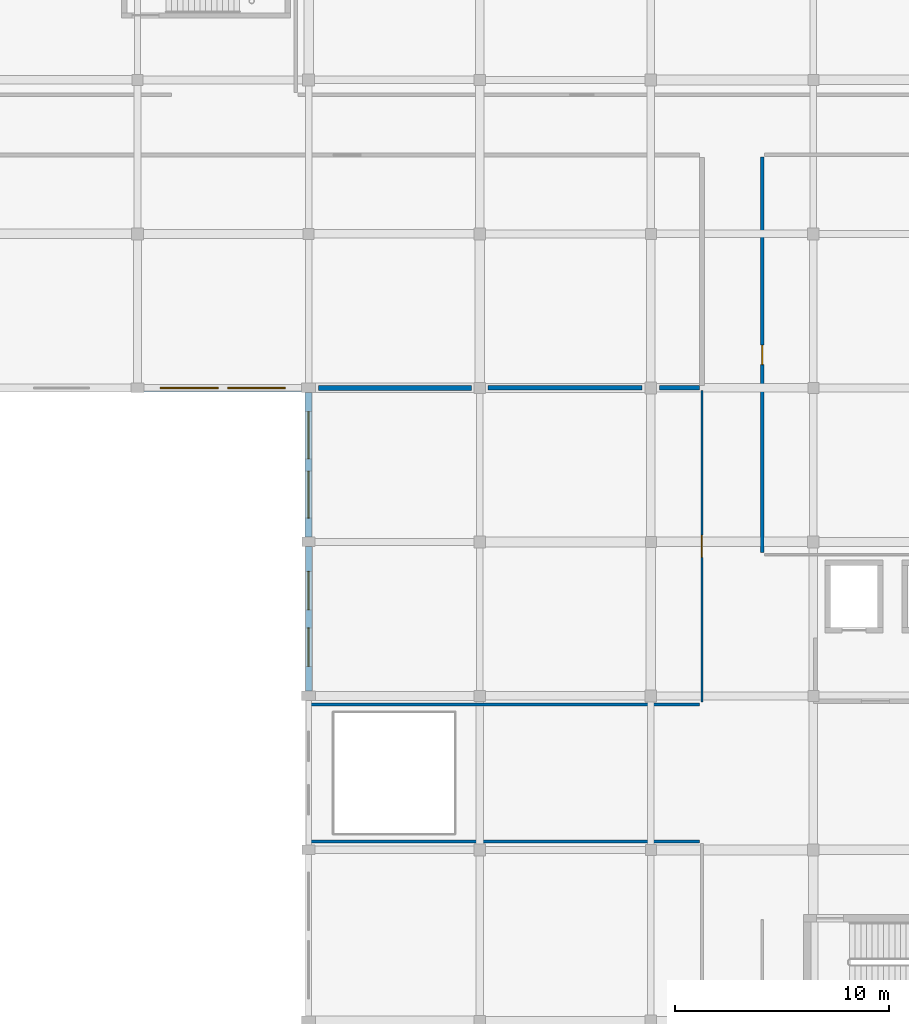
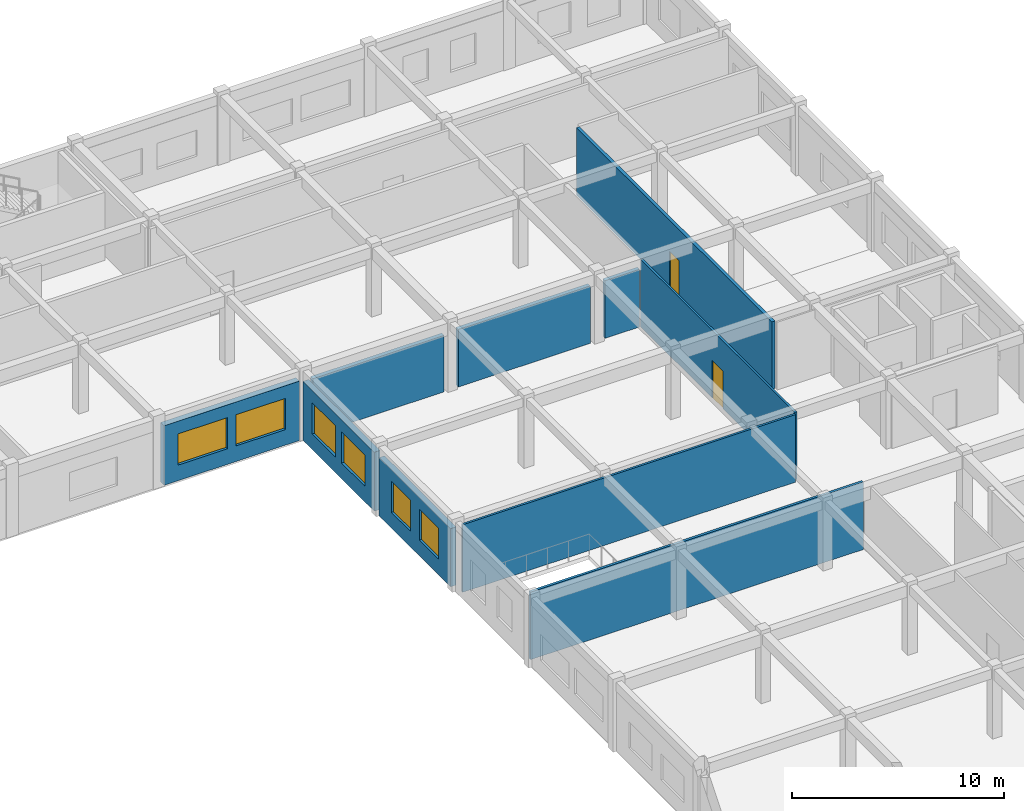
# One storey, part 11 of 19: 10 walls, 6 windows, 2 doors, 8 openings.
"""IFC4 building model written with IfcOpenShell, lengths in metres."""

from ifc_helpers import new_model, si_unit, direction, frame, frame_2d, origin, place, context, subcontext, project, spatial, rectangle, extrude, material, layer, layer_set, type_object, element, fill, save


model = new_model("IFC4")

# Units and contexts
model_context = context("Model", 3, precision=1e-05, world=origin(), true_north=direction((0.0, 1.0)))
body_context = subcontext(model_context, "Body", "Model", "MODEL_VIEW")
ifc_project = project(units=[si_unit("LENGTHUNIT", "METRE"), si_unit("AREAUNIT", "SQUARE_METRE"), si_unit("VOLUMEUNIT", "CUBIC_METRE"), si_unit("PLANEANGLEUNIT", "RADIAN"), si_unit("MASSUNIT", "GRAM", prefix="KILO")], contexts=[model_context])

# Site, building, storey
site_placement = place(None, origin())
site = spatial("IfcSite", under=ifc_project, at=site_placement, CompositionType="ELEMENT")
building_placement = place(site_placement, origin())
building = spatial("IfcBuilding", under=site, at=building_placement, Name="Kharva Crest Polytechnic", CompositionType="ELEMENT")
storey_placement = place(building_placement, frame((0.0, 0.0, 21.60009765625)))
storey = spatial("IfcBuildingStorey", under=building, at=storey_placement, Name="L05", CompositionType="ELEMENT", Elevation=21.60009765625)

# Wall, openings, windows
ifc_material_1 = material(Name="Kiln brick masonry", Category="masonry")
ifc_layer_1 = layer(ifc_material_1, 0.304931640625, Name="Kiln brick masonry")
ifc_layer_set_1 = layer_set([ifc_layer_1], Name="Kiln brick masonry")
wall_type_1 = type_object("IfcWallType", Name="WL-EXT-BRK-305", PredefinedType="SOLIDWALL", material=ifc_layer_set_1)
wall_1_placement = place(storey_placement, frame((152.800048828125, 92.97998046875, 0.0), z_axis=(0.0, 0.0, 1.0), x_axis=(0.0, -1.0, 0.0)))
wall_1 = element("IfcWall", 1, at=wall_1_placement, inside=storey, type_object=wall_type_1, Name="L05 Exterior Brick Wall 455", PredefinedType="SOLIDWALL", context=body_context, shape_type="SweptSolid", body=[
    extrude(rectangle(XDim=6.760009765625, YDim=0.304931640625, at=frame_2d((3.3798828125, 0.0))), origin(), (0.0, 0.0, 1.0), 3.35986328125),
])
opening_1_placement = place(wall_1_placement, frame((1.159912109375, 0.0, 0.89990234375)))
opening_1 = element("IfcOpeningElement", 2, at=opening_1_placement, cuts=wall_1, Name="Opening W05", PredefinedType="OPENING", context=body_context, shape_type="SweptSolid", body=[
    extrude(rectangle(XDim=1.800048828125, YDim=1.800048828125, at=frame_2d((0.89990234375, 0.89990234375))), frame((0.0, 0.162353515625, 0.0), z_axis=(0.0, -1.0, 0.0), x_axis=(1.0, 0.0, 0.0)), (0.0, 0.0, 1.0), 0.324951171875),
])
opening_2_placement = place(wall_1_placement, frame((3.800048828125, 0.0, 0.89990234375)))
opening_2 = element("IfcOpeningElement", 3, at=opening_2_placement, cuts=wall_1, Name="Opening W05", PredefinedType="OPENING", context=body_context, shape_type="SweptSolid", body=[
    extrude(rectangle(XDim=1.800048828125, YDim=1.800048828125, at=frame_2d((0.89990234375, 0.89990234375))), frame((0.0, 0.162353515625, 0.0), z_axis=(0.0, -1.0, 0.0), x_axis=(1.0, 0.0, 0.0)), (0.0, 0.0, 1.0), 0.324951171875),
])
ifc_material_2 = material(Name="Anodised aluminium", Category="aluminium")
window_type_1 = type_object("IfcWindowType", Name="WIN-ALU-1800X1800", PartitioningType="SINGLE_PANEL", PredefinedType="WINDOW", material=ifc_material_2)
window_1_placement = place(opening_1_placement, origin())
window_1 = element("IfcWindow", 4, at=window_1_placement, inside=storey, type_object=window_type_1, Name="L05 Exterior Window 647", OverallHeight=1.800048828125, OverallWidth=1.800048828125, PartitioningType="SINGLE_PANEL", PredefinedType="WINDOW", context=body_context, shape_type="SweptSolid", body=[
    extrude(rectangle(XDim=1.800048828125, YDim=1.800048828125, at=frame_2d((0.89990234375, 0.89990234375))), frame((0.0, 0.030029296875, 0.0), z_axis=(0.0, -1.0, 0.0), x_axis=(1.0, 0.0, 0.0)), (0.0, 0.0, 1.0), 0.06005859375),
])
fill(opening_1, window_1)
window_2_placement = place(opening_2_placement, origin())
window_2 = element("IfcWindow", 5, at=window_2_placement, inside=storey, type_object=window_type_1, Name="L05 Exterior Window 648", OverallHeight=1.800048828125, OverallWidth=1.800048828125, PartitioningType="SINGLE_PANEL", PredefinedType="WINDOW", context=body_context, shape_type="SweptSolid", body=[
    extrude(rectangle(XDim=1.800048828125, YDim=1.800048828125, at=frame_2d((0.89990234375, 0.89990234375))), frame((0.0, 0.030029296875, 0.0), z_axis=(0.0, -1.0, 0.0), x_axis=(1.0, 0.0, 0.0)), (0.0, 0.0, 1.0), 0.06005859375),
])
fill(opening_2, window_2)

ifc_layer_2 = layer(ifc_material_1, 0.320068359375, Name="Kiln brick masonry")
ifc_layer_set_2 = layer_set([ifc_layer_2], Name="Kiln brick masonry")
wall_type_2 = type_object("IfcWallType", Name="WL-EXT-BRK-320", PredefinedType="SOLIDWALL", material=ifc_layer_set_2)
wall_2_placement = place(storey_placement, frame((152.800048828125, 100.179931640625, 0.0), z_axis=(0.0, 0.0, 1.0), x_axis=(0.0, -1.0, 0.0)))
wall_2 = element("IfcWall", 6, at=wall_2_placement, inside=storey, type_object=wall_type_2, Name="L05 Exterior Brick Wall 454", PredefinedType="SOLIDWALL", context=body_context, shape_type="SweptSolid", body=[
    extrude(rectangle(XDim=6.760009765625, YDim=0.320068359375, at=frame_2d((3.3798828125, 0.0))), origin(), (0.0, 0.0, 1.0), 3.39990234375),
])
opening_3_placement = place(wall_2_placement, frame((0.89306640625, 0.0, 0.89990234375)))
opening_3 = element("IfcOpeningElement", 7, at=opening_3_placement, cuts=wall_2, Name="Opening W03", PredefinedType="OPENING", context=body_context, shape_type="SweptSolid", body=[
    extrude(rectangle(XDim=2.199951171875, YDim=1.800048828125, at=frame_2d((1.10009765625, 0.89990234375))), frame((0.0, 0.169921875, 0.0), z_axis=(0.0, -1.0, 0.0), x_axis=(1.0, 0.0, 0.0)), (0.0, 0.0, 1.0), 0.340087890625),
])
opening_4_placement = place(wall_2_placement, frame((3.6669921875, 0.0, 0.89990234375)))
opening_4 = element("IfcOpeningElement", 8, at=opening_4_placement, cuts=wall_2, Name="Opening W03", PredefinedType="OPENING", context=body_context, shape_type="SweptSolid", body=[
    extrude(rectangle(XDim=2.199951171875, YDim=1.800048828125, at=frame_2d((1.10009765625, 0.89990234375))), frame((0.0, 0.169921875, 0.0), z_axis=(0.0, -1.0, 0.0), x_axis=(1.0, 0.0, 0.0)), (0.0, 0.0, 1.0), 0.340087890625),
])
window_type_2 = type_object("IfcWindowType", Name="WIN-ALU-2200X1800", PartitioningType="SINGLE_PANEL", PredefinedType="WINDOW", material=ifc_material_2)
window_3_placement = place(opening_3_placement, origin())
window_3 = element("IfcWindow", 9, at=window_3_placement, inside=storey, type_object=window_type_2, Name="L05 Exterior Window 645", OverallHeight=1.800048828125, OverallWidth=2.199951171875, PartitioningType="SINGLE_PANEL", PredefinedType="WINDOW", context=body_context, shape_type="SweptSolid", body=[
    extrude(rectangle(XDim=2.199951171875, YDim=1.800048828125, at=frame_2d((1.10009765625, 0.89990234375))), frame((0.0, 0.030029296875, 0.0), z_axis=(0.0, -1.0, 0.0), x_axis=(1.0, 0.0, 0.0)), (0.0, 0.0, 1.0), 0.06005859375),
])
fill(opening_3, window_3)
window_4_placement = place(opening_4_placement, origin())
window_4 = element("IfcWindow", 10, at=window_4_placement, inside=storey, type_object=window_type_2, Name="L05 Exterior Window 646", OverallHeight=1.800048828125, OverallWidth=2.199951171875, PartitioningType="SINGLE_PANEL", PredefinedType="WINDOW", context=body_context, shape_type="SweptSolid", body=[
    extrude(rectangle(XDim=2.199951171875, YDim=1.800048828125, at=frame_2d((1.10009765625, 0.89990234375))), frame((0.0, 0.030029296875, 0.0), z_axis=(0.0, -1.0, 0.0), x_axis=(1.0, 0.0, 0.0)), (0.0, 0.0, 1.0), 0.06005859375),
])
fill(opening_4, window_4)

ifc_layer_3 = layer(ifc_material_1, 0.3349609375, Name="Kiln brick masonry")
ifc_layer_set_3 = layer_set([ifc_layer_3], Name="Kiln brick masonry")
wall_type_3 = type_object("IfcWallType", Name="WL-EXT-BRK-335", PredefinedType="SOLIDWALL", material=ifc_layer_set_3)
wall_3_placement = place(storey_placement, frame((145.10498046875, 100.39990234375, 0.0), z_axis=(0.0, 0.0, 1.0), x_axis=(1.0, 0.0, 0.0)))
wall_3 = element("IfcWall", 11, at=wall_3_placement, inside=storey, type_object=wall_type_3, Name="L05 Exterior Brick Wall 453", PredefinedType="SOLIDWALL", context=body_context, shape_type="SweptSolid", body=[
    extrude(rectangle(XDim=7.375, YDim=0.3349609375, at=frame_2d((3.6875, 0.0))), origin(), (0.0, 0.0, 1.0), 3.429931640625),
])
opening_5_placement = place(wall_3_placement, frame((0.764892578125, 0.0, 0.89990234375)))
opening_5 = element("IfcOpeningElement", 12, at=opening_5_placement, cuts=wall_3, Name="Opening W01", PredefinedType="OPENING", context=body_context, shape_type="SweptSolid", body=[
    extrude(rectangle(XDim=2.699951171875, YDim=1.800048828125, at=frame_2d((1.35009765625, 0.89990234375))), frame((0.0, 0.177490234375, 0.0), z_axis=(0.0, -1.0, 0.0), x_axis=(1.0, 0.0, 0.0)), (0.0, 0.0, 1.0), 0.35498046875),
])
opening_6_placement = place(wall_3_placement, frame((3.909912109375, 0.0, 0.89990234375)))
opening_6 = element("IfcOpeningElement", 13, at=opening_6_placement, cuts=wall_3, Name="Opening W01", PredefinedType="OPENING", context=body_context, shape_type="SweptSolid", body=[
    extrude(rectangle(XDim=2.699951171875, YDim=1.800048828125, at=frame_2d((1.35009765625, 0.89990234375))), frame((0.0, 0.177490234375, 0.0), z_axis=(0.0, -1.0, 0.0), x_axis=(1.0, 0.0, 0.0)), (0.0, 0.0, 1.0), 0.35498046875),
])
window_type_3 = type_object("IfcWindowType", Name="WIN-ALU-2700X1800", PartitioningType="SINGLE_PANEL", PredefinedType="WINDOW", material=ifc_material_2)
window_5_placement = place(opening_5_placement, origin())
window_5 = element("IfcWindow", 14, at=window_5_placement, inside=storey, type_object=window_type_3, Name="L05 Exterior Window 643", OverallHeight=1.800048828125, OverallWidth=2.699951171875, PartitioningType="SINGLE_PANEL", PredefinedType="WINDOW", context=body_context, shape_type="SweptSolid", body=[
    extrude(rectangle(XDim=2.699951171875, YDim=1.800048828125, at=frame_2d((1.35009765625, 0.89990234375))), frame((0.0, 0.030029296875, 0.0), z_axis=(0.0, -1.0, 0.0), x_axis=(1.0, 0.0, 0.0)), (0.0, 0.0, 1.0), 0.06005859375),
])
fill(opening_5, window_5)
window_6_placement = place(opening_6_placement, origin())
window_6 = element("IfcWindow", 15, at=window_6_placement, inside=storey, type_object=window_type_3, Name="L05 Exterior Window 644", OverallHeight=1.800048828125, OverallWidth=2.699951171875, PartitioningType="SINGLE_PANEL", PredefinedType="WINDOW", context=body_context, shape_type="SweptSolid", body=[
    extrude(rectangle(XDim=2.699951171875, YDim=1.800048828125, at=frame_2d((1.35009765625, 0.89990234375))), frame((0.0, 0.030029296875, 0.0), z_axis=(0.0, -1.0, 0.0), x_axis=(1.0, 0.0, 0.0)), (0.0, 0.0, 1.0), 0.06005859375),
])
fill(opening_6, window_6)

# Wall, opening, door
ifc_layer_4 = layer(ifc_material_1, 0.110107421875, Name="Kiln brick masonry")
ifc_layer_set_4 = layer_set([ifc_layer_4], Name="Kiln brick masonry")
wall_type_4 = type_object("IfcWallType", Name="WL-PART-110", PredefinedType="PARTITIONING", material=ifc_layer_set_4)
wall_4_placement = place(storey_placement, frame((171.18994140625, 85.7099609375, 0.0), z_axis=(0.0, 0.0, 1.0), x_axis=(0.0, 1.0, 0.0)))
wall_4 = element("IfcWall", 16, at=wall_4_placement, inside=storey, type_object=wall_type_4, Name="L05 Interior Partition 387", PredefinedType="PARTITIONING", context=body_context, shape_type="SweptSolid", body=[
    extrude(rectangle(XDim=14.570068359375, YDim=0.110107421875, at=frame_2d((7.28515625, 0.0))), origin(), (0.0, 0.0, 1.0), 3.89990234375),
])
opening_7_placement = place(wall_4_placement, frame((6.764892578125, 0.0, 0.0)))
opening_7 = element("IfcOpeningElement", 17, at=opening_7_placement, cuts=wall_4, Name="Opening ID11", PredefinedType="OPENING", context=body_context, shape_type="SweptSolid", body=[
    extrude(rectangle(XDim=1.0400390625, YDim=2.14990234375, at=frame_2d((0.52001953125, 1.074951171875))), frame((0.0, 0.06494140625, 0.0), z_axis=(0.0, -1.0, 0.0), x_axis=(1.0, 0.0, 0.0)), (0.0, 0.0, 1.0), 0.130126953125),
])
ifc_material_3 = material(Name="Teak timber", Category="wood")
door_type_1 = type_object("IfcDoorType", Name="DR-CLS-1040X2150", OperationType="NOTDEFINED", PredefinedType="DOOR", material=ifc_material_3)
door_1_placement = place(opening_7_placement, origin())
door_1 = element("IfcDoor", 18, at=door_1_placement, inside=storey, type_object=door_type_1, Name="L05 Acoustic Testing Seminar Room Door", OperationType="SINGLE_SWING_LEFT", OverallHeight=2.14990234375, OverallWidth=1.0400390625, PredefinedType="DOOR", context=body_context, shape_type="SweptSolid", body=[
    extrude(rectangle(XDim=1.0400390625, YDim=2.14990234375, at=frame_2d((0.52001953125, 1.074951171875))), frame((0.0, 0.02490234375, 0.0), z_axis=(0.0, -1.0, 0.0), x_axis=(1.0, 0.0, 0.0)), (0.0, 0.0, 1.0), 0.050048828125),
])
fill(opening_7, door_1)

# Walls
ifc_layer_5 = layer(ifc_material_1, 0.1201171875, Name="Kiln brick masonry")
ifc_layer_set_5 = layer_set([ifc_layer_5], Name="Kiln brick masonry")
wall_type_5 = type_object("IfcWallType", Name="WL-PART-120", PredefinedType="PARTITIONING", material=ifc_layer_set_5)
wall_5_placement = place(storey_placement, frame((152.909912109375, 85.60009765625, 0.0), z_axis=(0.0, 0.0, 1.0), x_axis=(1.0, 0.0, 0.0)))
element("IfcWall", 19, at=wall_5_placement, inside=storey, type_object=wall_type_5, Name="L05 Interior Partition 386", PredefinedType="PARTITIONING", context=body_context, shape_type="SweptSolid", body=[
    extrude(rectangle(XDim=18.170166015625, YDim=0.1201171875, at=frame_2d((9.0849609375, 0.0))), origin(), (0.0, 0.0, 1.0), 3.89990234375),
])
ifc_layer_6 = layer(ifc_material_1, 0.139892578125, Name="Kiln brick masonry")
ifc_layer_set_6 = layer_set([ifc_layer_6], Name="Kiln brick masonry")
wall_type_6 = type_object("IfcWallType", Name="WL-PART-140", PredefinedType="PARTITIONING", material=ifc_layer_set_6)
wall_6_placement = place(storey_placement, frame((152.909912109375, 79.199951171875, 0.0), z_axis=(0.0, 0.0, 1.0), x_axis=(1.0, 0.0, 0.0)))
element("IfcWall", 20, at=wall_6_placement, inside=storey, type_object=wall_type_6, Name="L05 Interior Partition 384", PredefinedType="PARTITIONING", context=body_context, shape_type="SweptSolid", body=[
    extrude(rectangle(XDim=18.170166015625, YDim=0.139892578125, at=frame_2d((9.0849609375, 0.0))), origin(), (0.0, 0.0, 1.0), 3.89990234375),
])

# Wall, opening, door
ifc_layer_7 = layer(ifc_material_1, 0.169921875, Name="Kiln brick masonry")
ifc_layer_set_7 = layer_set([ifc_layer_7], Name="Kiln brick masonry")
wall_type_7 = type_object("IfcWallType", Name="WL-PART-170", PredefinedType="PARTITIONING", material=ifc_layer_set_7)
wall_7_placement = place(storey_placement, frame((174.010009765625, 92.7099609375, 0.0), z_axis=(0.0, 0.0, 1.0), x_axis=(0.0, 1.0, 0.0)))
wall_7 = element("IfcWall", 21, at=wall_7_placement, inside=storey, type_object=wall_type_7, Name="L05 Interior Partition 391", PredefinedType="PARTITIONING", context=body_context, shape_type="SweptSolid", body=[
    extrude(rectangle(XDim=18.47998046875, YDim=0.169921875, at=frame_2d((9.239990234375, 0.0))), origin(), (0.0, 0.0, 1.0), 3.89990234375),
])
opening_8_placement = place(wall_7_placement, frame((8.784912109375, 0.0, 0.0)))
opening_8 = element("IfcOpeningElement", 22, at=opening_8_placement, cuts=wall_7, Name="Opening ID15", PredefinedType="OPENING", context=body_context, shape_type="SweptSolid", body=[
    extrude(rectangle(XDim=0.909912109375, YDim=2.10009765625, at=frame_2d((0.455078125, 1.050048828125))), frame((0.0, 0.094970703125, 0.0), z_axis=(0.0, -1.0, 0.0), x_axis=(1.0, 0.0, 0.0)), (0.0, 0.0, 1.0), 0.18994140625),
])
door_type_2 = type_object("IfcDoorType", Name="DR-WC-910X2100", OperationType="NOTDEFINED", PredefinedType="DOOR", material=ifc_material_3)
door_2_placement = place(opening_8_placement, origin())
door_2 = element("IfcDoor", 23, at=door_2_placement, inside=storey, type_object=door_type_2, Name="L05 Male Female and Accessible Washrooms L05 Door", OperationType="SINGLE_SWING_LEFT", OverallHeight=2.10009765625, OverallWidth=0.909912109375, PredefinedType="DOOR", context=body_context, shape_type="SweptSolid", body=[
    extrude(rectangle(XDim=0.909912109375, YDim=2.10009765625, at=frame_2d((0.455078125, 1.050048828125))), frame((0.0, 0.02490234375, 0.0), z_axis=(0.0, -1.0, 0.0), x_axis=(1.0, 0.0, 0.0)), (0.0, 0.0, 1.0), 0.050048828125),
])
fill(opening_8, door_2)

# Walls
ifc_layer_8 = layer(ifc_material_1, 0.205078125, Name="Kiln brick masonry")
ifc_layer_set_8 = layer_set([ifc_layer_8], Name="Kiln brick masonry")
wall_type_8 = type_object("IfcWallType", Name="WL-PART-205", PredefinedType="PARTITIONING", material=ifc_layer_set_8)
wall_8_placement = place(storey_placement, frame((169.205078125, 100.39990234375, 0.0), z_axis=(0.0, 0.0, 1.0), x_axis=(1.0, 0.0, 0.0)))
element("IfcWall", 24, at=wall_8_placement, inside=storey, type_object=wall_type_8, Name="L05 Interior Partition 374", PredefinedType="PARTITIONING", context=body_context, shape_type="SweptSolid", body=[
    extrude(rectangle(XDim=1.875, YDim=0.205078125, at=frame_2d((0.9375, 0.0))), origin(), (0.0, 0.0, 1.0), 3.329833984375),
])
ifc_layer_9 = layer(ifc_material_1, 0.215087890625, Name="Kiln brick masonry")
ifc_layer_set_9 = layer_set([ifc_layer_9], Name="Kiln brick masonry")
wall_type_9 = type_object("IfcWallType", Name="WL-PART-215", PredefinedType="PARTITIONING", material=ifc_layer_set_9)
wall_9_placement = place(storey_placement, frame((161.18994140625, 100.39990234375, 0.0), z_axis=(0.0, 0.0, 1.0), x_axis=(1.0, 0.0, 0.0)))
element("IfcWall", 25, at=wall_9_placement, inside=storey, type_object=wall_type_9, Name="L05 Interior Partition 373", PredefinedType="PARTITIONING", context=body_context, shape_type="SweptSolid", body=[
    extrude(rectangle(XDim=7.205078125, YDim=0.215087890625, at=frame_2d((3.6025390625, 0.0))), origin(), (0.0, 0.0, 1.0), 3.31982421875),
])
ifc_layer_10 = layer(ifc_material_1, 0.22509765625, Name="Kiln brick masonry")
ifc_layer_set_10 = layer_set([ifc_layer_10], Name="Kiln brick masonry")
wall_type_10 = type_object("IfcWallType", Name="WL-PART-225", PredefinedType="PARTITIONING", material=ifc_layer_set_10)
wall_10_placement = place(storey_placement, frame((153.2548828125, 100.39990234375, 0.0), z_axis=(0.0, 0.0, 1.0), x_axis=(1.0, 0.0, 0.0)))
element("IfcWall", 26, at=wall_10_placement, inside=storey, type_object=wall_type_10, Name="L05 Interior Partition 372", PredefinedType="PARTITIONING", context=body_context, shape_type="SweptSolid", body=[
    extrude(rectangle(XDim=7.155029296875, YDim=0.22509765625, at=frame_2d((3.57763671875, 0.0))), origin(), (0.0, 0.0, 1.0), 3.260009765625),
])

save(model, "model.ifc")
